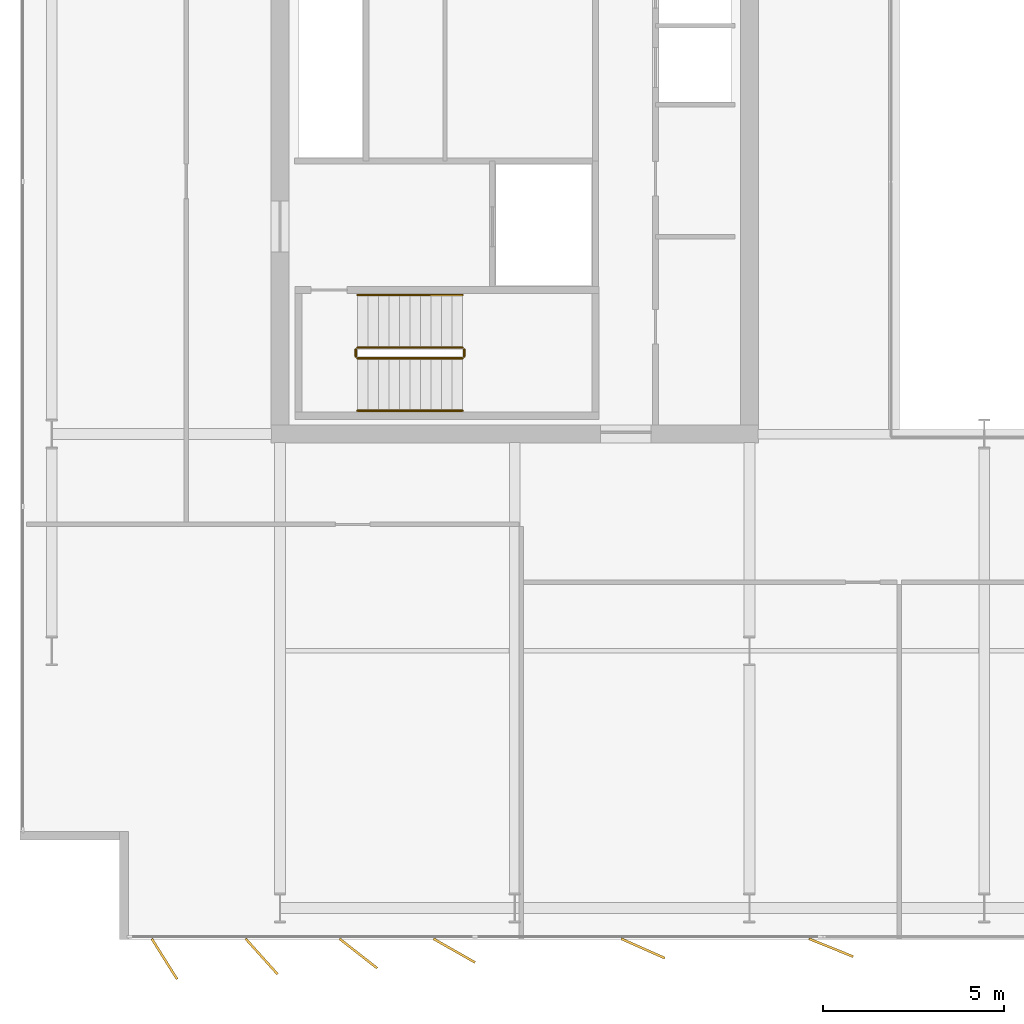
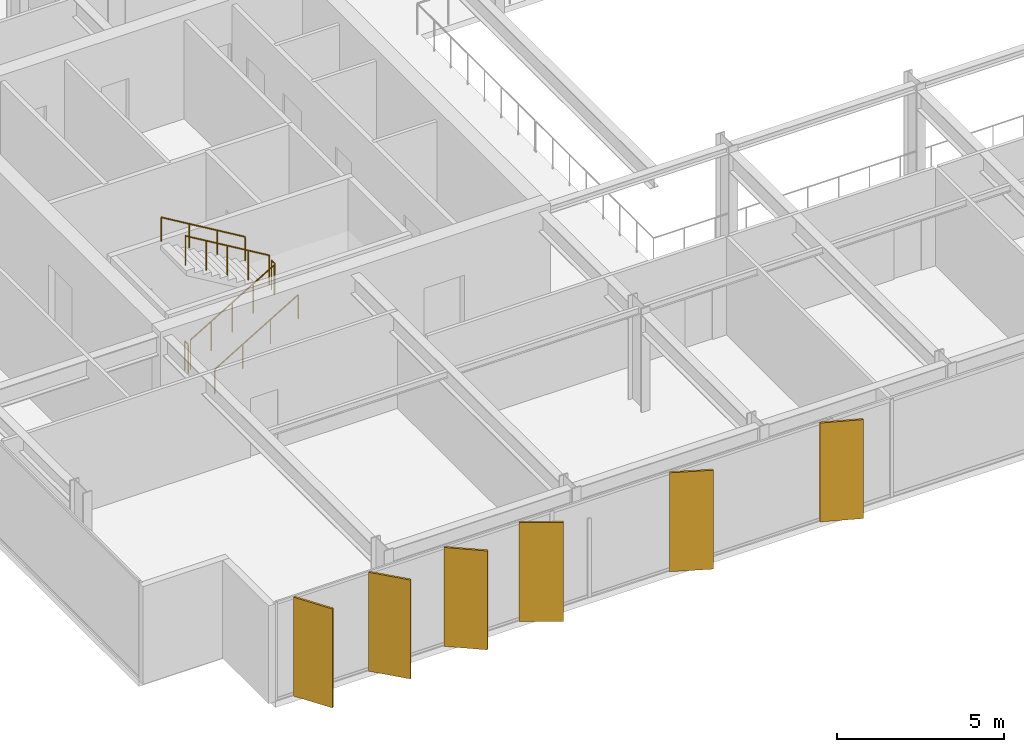
# One storey, part 20 of 23: 6 railings, 6 shading devices.
"""IFC4 building model written with IfcOpenShell, lengths in metres."""

import ifcopenshell
import ifcopenshell.guid

model = None  # the IFC model being written
_history = None  # IfcOwnerHistory: only IFC2X3 demands one
_inside = {}  # id of a spatial element -> (the spatial element, [elements in it])
_under = {}  # id of a project, library or spatial element -> (it, [spatial elements below it])
_declared = {}  # id of a project -> (the project, [libraries it declares])
_typed = {}  # id of a type object -> (the type object, [elements of that type])
_made_of = {}  # id of a material, layer set ... -> (it, [elements and type objects made of it])


def new_model(schema):
    """Start an empty IFC model of exactly this schema.

    Asked for "IFC4X3", IfcOpenShell would pick the latest addendum, in which some entities
    have other attributes; the version numbers below select the first issue.
    IFC2X3 requires an IfcOwnerHistory on every rooted entity: one is made here for all.
    """
    global model, _history
    if schema == "IFC4X3":
        model = ifcopenshell.file(schema_version=(4, 3, 0, 0))
    else:
        model = ifcopenshell.file(schema=schema)
    _inside.clear()
    _under.clear()
    _declared.clear()
    _typed.clear()
    _made_of.clear()
    _history = None
    if model.schema == "IFC2X3":
        org = make("IfcOrganization", Name="unknown")
        user = make(
            "IfcPersonAndOrganization",
            ThePerson=make("IfcPerson", FamilyName="unknown"),
            TheOrganization=org,
        )
        app = make(
            "IfcApplication",
            ApplicationDeveloper=org,
            Version="unknown",
            ApplicationFullName="unknown",
            ApplicationIdentifier="unknown",
        )
        _history = make(
            "IfcOwnerHistory",
            OwningUser=user,
            OwningApplication=app,
            ChangeAction="ADDED",
            CreationDate=0,
        )
    return model


def make(cls, **values):
    """One entity of the class cls with the attributes given. An attribute that is None is left unset."""
    return model.create_entity(
        cls, **{name: value for name, value in values.items() if value is not None}
    )


def rooted(cls, **values):
    """An entity with a GlobalId (a new one), such as an element, a storey or a relation."""
    return make(cls, GlobalId=ifcopenshell.guid.new(), OwnerHistory=_history, **values)


def si_unit(unit_type, name, prefix=None):
    """IfcSIUnit, for example si_unit("LENGTHUNIT", "METRE", prefix="MILLI")."""
    return make("IfcSIUnit", UnitType=unit_type, Prefix=prefix, Name=name)


def assignment(units):
    """IfcUnitAssignment: the units of a project."""
    return None if units is None else make("IfcUnitAssignment", Units=units)


def point(xyz):
    """IfcCartesianPoint."""
    return None if xyz is None else make("IfcCartesianPoint", Coordinates=xyz)


def direction(xyz):
    """IfcDirection."""
    return None if xyz is None else make("IfcDirection", DirectionRatios=xyz)


def frame(location, z_axis=None, x_axis=None):
    """IfcAxis2Placement3D, a coordinate frame: its origin and axes. An axis left out is left unset."""
    return make(
        "IfcAxis2Placement3D",
        Location=point(location),
        Axis=direction(z_axis),
        RefDirection=direction(x_axis),
    )


def frame_2d(location, x_axis=None):
    """IfcAxis2Placement2D, a coordinate frame in the plane: its origin and x axis."""
    return make(
        "IfcAxis2Placement2D", Location=point(location), RefDirection=direction(x_axis)
    )


def origin():
    """The frame at (0, 0, 0) with its axes left unset."""
    return frame((0.0, 0.0, 0.0))


def origin_2d():
    """The frame at (0, 0) in the plane with its x axis left unset."""
    return frame_2d((0.0, 0.0))


def place(relative_to, where):
    """IfcLocalPlacement: puts the frame where relative to a parent placement (None: the world)."""
    return make(
        "IfcLocalPlacement", PlacementRelTo=relative_to, RelativePlacement=where
    )


def context(
    kind, dimensions, precision=None, world=None, true_north=None, identifier=None
):
    """IfcGeometricRepresentationContext, for example the 3D "Model" context."""
    return make(
        "IfcGeometricRepresentationContext",
        ContextIdentifier=identifier,
        ContextType=kind,
        CoordinateSpaceDimension=dimensions,
        Precision=precision,
        WorldCoordinateSystem=world,
        TrueNorth=true_north,
    )


def subcontext(parent, identifier, kind, view, scale=None):
    """IfcGeometricRepresentationSubContext, for example "Body" below "Model"."""
    return make(
        "IfcGeometricRepresentationSubContext",
        ContextIdentifier=identifier,
        ContextType=kind,
        ParentContext=parent,
        TargetScale=scale,
        TargetView=view,
    )


def project(units=None, contexts=None):
    """IfcProject with its units and contexts."""
    return rooted(
        "IfcProject",
        Name="project",
        RepresentationContexts=contexts,
        UnitsInContext=assignment(units),
    )


def spatial(cls, under=None, at=None, **own):
    """A site, building, storey or space (cls), placed at a placement, below another one or the project."""
    s = rooted(cls, ObjectPlacement=at, **own)
    if under is not None:
        _under.setdefault(under.id(), (under, []))[1].append(s)
    return s


def profile(cls, at=None, kind="AREA", **sizes):
    """A parametric profile (cls). Its sizes go by their IFC names, for example OverallWidth=200.0."""
    return make(cls, ProfileType=kind, Position=at, **sizes)


def rectangle(**sizes):
    """IfcRectangleProfileDef."""
    return profile("IfcRectangleProfileDef", **sizes)


def circle(**sizes):
    """IfcCircleProfileDef."""
    return profile("IfcCircleProfileDef", **sizes)


def extrude(swept, where, along, depth):
    """IfcExtrudedAreaSolid: the profile swept, set in the frame where, extruded along a direction by depth."""
    return make(
        "IfcExtrudedAreaSolid",
        SweptArea=swept,
        Position=where,
        ExtrudedDirection=direction(along),
        Depth=depth,
    )


def shape(context_of_items, identifier, shape_type, items):
    """IfcShapeRepresentation: the items that make up one representation, for example the "Body"."""
    return make(
        "IfcShapeRepresentation",
        ContextOfItems=context_of_items,
        RepresentationIdentifier=identifier,
        RepresentationType=shape_type,
        Items=items,
    )


def material(Name=None, Category=None):
    """IfcMaterial."""
    return make("IfcMaterial", Name=Name, Category=Category)


def layer(
    of_material, thickness, ventilated=None, Name=None, Category=None, Priority=None
):
    """IfcMaterialLayer: one layer of a wall or slab, of a material (None: an air gap)."""
    return make(
        "IfcMaterialLayer",
        Material=of_material,
        LayerThickness=thickness,
        IsVentilated=ventilated,
        Name=Name,
        Category=Category,
        Priority=Priority,
    )


def layer_set(layers, Name=None):
    """IfcMaterialLayerSet."""
    return make("IfcMaterialLayerSet", MaterialLayers=layers, LayerSetName=Name)


def made_of(thing, what):
    """Note that an element or type object is made of a material, layer set ...; save() writes the relation."""
    if what is not None:
        _made_of.setdefault(what.id(), (what, []))[1].append(thing)
    return thing


def type_object(cls, material=None, **own):
    """A type object (cls), such as IfcWallType, which elements share."""
    return made_of(rooted(cls, **own), material)


def element(
    cls,
    number,
    at=None,
    inside=None,
    cuts=None,
    type_object=None,
    material=None,
    context=None,
    identifier="Body",
    shape_type=None,
    held_by="IfcProductDefinitionShape",
    body=None,
    shapes=None,
    **own,
):
    """One element of the class cls, such as IfcWall. Its Tag is "e" and its number.

    at: its placement. inside: the storey or other place that contains it. cuts: it is an
    opening in that element (IfcRelVoidsElement). A single representation is given by context,
    identifier, shape_type and body (its items); several are given by shapes. held_by: the class
    of the entity that holds the representations. save() writes the other relations.
    """
    e = rooted(cls, Tag="e%d" % number, ObjectPlacement=at, **own)
    if body is not None:
        shapes = [shape(context, identifier, shape_type, body)]
    if shapes is not None:
        e.Representation = make(held_by, Representations=shapes)
    if inside is not None:
        _inside.setdefault(inside.id(), (inside, []))[1].append(e)
    if cuts is not None:
        rooted(
            "IfcRelVoidsElement", RelatingBuildingElement=cuts, RelatedOpeningElement=e
        )
    if type_object is not None:
        _typed.setdefault(type_object.id(), (type_object, []))[1].append(e)
    return made_of(e, material)


def aggregate(whole, parts):
    """IfcRelAggregates: a whole, such as a stair, and the parts it consists of."""
    return rooted("IfcRelAggregates", RelatingObject=whole, RelatedObjects=parts)


def save(model, path):
    """Write the relations noted so far, then the file.

    IfcRelAggregates (storeys below a building ...), IfcRelContainedInSpatialStructure (elements
    in a storey), IfcRelDefinesByType, IfcRelAssociatesMaterial and IfcRelDeclares: one each for
    every whole, place, type object, material and project.
    """
    for whole, parts in _under.values():
        aggregate(whole, parts)
    for where, things in _inside.values():
        rooted(
            "IfcRelContainedInSpatialStructure",
            RelatedElements=things,
            RelatingStructure=where,
        )
    for kind, things in _typed.values():
        rooted("IfcRelDefinesByType", RelatedObjects=things, RelatingType=kind)
    for what, things in _made_of.values():
        rooted("IfcRelAssociatesMaterial", RelatedObjects=things, RelatingMaterial=what)
    for by, libraries in _declared.values():
        rooted("IfcRelDeclares", RelatingContext=by, RelatedDefinitions=libraries)
    model.write(path)


model = new_model("IFC4")

# Units and contexts
model_context = context("Model", 3, precision=1e-05, world=origin(), true_north=direction((0.0, 1.0)))
body_context = subcontext(model_context, "Body", "Model", "MODEL_VIEW")
ifc_project = project(units=[si_unit("LENGTHUNIT", "METRE"), si_unit("AREAUNIT", "SQUARE_METRE"), si_unit("VOLUMEUNIT", "CUBIC_METRE"), si_unit("PLANEANGLEUNIT", "RADIAN"), si_unit("MASSUNIT", "GRAM", prefix="KILO")], contexts=[model_context])

# Site, building, storey
site_placement = place(None, origin())
site = spatial("IfcSite", under=ifc_project, at=site_placement, CompositionType="ELEMENT")
building_placement = place(site_placement, origin())
building = spatial("IfcBuilding", under=site, at=building_placement, Name="Putna Gate Headquarters", CompositionType="ELEMENT")
storey_placement = place(building_placement, frame((0.0, 0.0, 206.199951171875)))
storey = spatial("IfcBuildingStorey", under=building, at=storey_placement, Name="L51", CompositionType="ELEMENT", Elevation=206.199951171875)

# Railings
ifc_material_1 = material(Name="Powder-coated steel stair guardrail", Category="steel")
railing_type_1 = type_object("IfcRailingType", Name="RAIL-STAIR-GUARD-1100", PredefinedType="GUARDRAIL", material=ifc_material_1)
railing_1_placement = place(storey_placement, frame((15.14990234375, 21.10009765625, 0.1728515625)))
element("IfcRailing", 1, at=railing_1_placement, inside=storey, type_object=railing_type_1, Name="L51 ST1 stair guard 1", PredefinedType="GUARDRAIL", context=body_context, shape_type="SweptSolid", body=[
    extrude(circle(Radius=0.02392578125, at=origin_2d()), frame((0.0, 0.0, 1.076171875), z_axis=(0.859160404282, 0.0, 0.51170636083), x_axis=(0.0, 1.0, 0.0)), (0.0, 0.0, 1.0), 3.37548828125),
    extrude(circle(Radius=0.02099609375, at=origin_2d()), origin(), (0.0, 0.0, 1.0), 1.052001953125),
    extrude(circle(Radius=0.02099609375, at=origin_2d()), frame((0.72509765625, 0.0, 0.431884765625)), (0.0, 0.0, 1.0), 1.052001953125),
    extrude(circle(Radius=0.02099609375, at=origin_2d()), frame((1.4501953125, 0.0, 0.86376953125)), (0.0, 0.0, 1.0), 1.052001953125),
    extrude(circle(Radius=0.02099609375, at=origin_2d()), frame((2.175048828125, 0.0, 1.29541015625)), (0.0, 0.0, 1.0), 1.052001953125),
    extrude(circle(Radius=0.02099609375, at=origin_2d()), frame((2.900146484375, 0.0, 1.727294921875)), (0.0, 0.0, 1.0), 1.052001953125),
])
railing_2_placement = place(storey_placement, frame((18.10009765625, 21.14990234375, 1.900146484375)))
element("IfcRailing", 2, at=railing_2_placement, inside=storey, type_object=railing_type_1, Name="L51 ST1 stair guard 2", PredefinedType="GUARDRAIL", context=body_context, shape_type="SweptSolid", body=[
    extrude(circle(Radius=0.02392578125, at=origin_2d()), frame((0.0, 0.0, 1.076171875), z_axis=(0.0, 1.0, 0.0), x_axis=(-1.0, 0.0, 0.0)), (0.0, 0.0, 1.0), 0.2001953125),
    extrude(circle(Radius=0.02099609375, at=origin_2d()), origin(), (0.0, 0.0, 1.0), 1.052001953125),
    extrude(circle(Radius=0.02099609375, at=origin_2d()), frame((0.0, 0.2001953125, 0.0)), (0.0, 0.0, 1.0), 1.052001953125),
])
railing_3_placement = place(storey_placement, frame((18.050048828125, 21.39990234375, 2.07275390625)))
element("IfcRailing", 3, at=railing_3_placement, inside=storey, type_object=railing_type_1, Name="L51 ST1 stair guard 3", PredefinedType="GUARDRAIL", context=body_context, shape_type="SweptSolid", body=[
    extrude(circle(Radius=0.02392578125, at=origin_2d()), frame((0.0, 0.0, 1.076171875), z_axis=(-0.859160404282, 0.0, 0.51170636083), x_axis=(0.0, -1.0, 0.0)), (0.0, 0.0, 1.0), 3.37548828125),
    extrude(circle(Radius=0.02099609375, at=origin_2d()), origin(), (0.0, 0.0, 1.0), 1.052001953125),
    extrude(circle(Radius=0.02099609375, at=origin_2d()), frame((-0.72509765625, 0.0, 0.431884765625)), (0.0, 0.0, 1.0), 1.052001953125),
    extrude(circle(Radius=0.02099609375, at=origin_2d()), frame((-1.4501953125, 0.0, 0.86376953125)), (0.0, 0.0, 1.0), 1.052001953125),
    extrude(circle(Radius=0.02099609375, at=origin_2d()), frame((-2.175048828125, 0.0, 1.29541015625)), (0.0, 0.0, 1.0), 1.052001953125),
    extrude(circle(Radius=0.02099609375, at=origin_2d()), frame((-2.900146484375, 0.0, 1.727294921875)), (0.0, 0.0, 1.0), 1.052001953125),
])
railing_4_placement = place(storey_placement, frame((15.10009765625, 21.14990234375, 0.0)))
element("IfcRailing", 4, at=railing_4_placement, inside=storey, type_object=railing_type_1, Name="L51 ST1 stair guard 4", PredefinedType="GUARDRAIL", context=body_context, shape_type="SweptSolid", body=[
    extrude(circle(Radius=0.02392578125, at=origin_2d()), frame((0.0, 0.0, 1.076171875), z_axis=(0.0, 1.0, 0.0), x_axis=(-1.0, 0.0, 0.0)), (0.0, 0.0, 1.0), 0.2001953125),
    extrude(circle(Radius=0.02099609375, at=origin_2d()), origin(), (0.0, 0.0, 1.0), 1.052001953125),
    extrude(circle(Radius=0.02099609375, at=origin_2d()), frame((0.0, 0.2001953125, 0.0)), (0.0, 0.0, 1.0), 1.052001953125),
])
ifc_material_2 = material(Name="Brushed stainless steel handrail", Category="steel")
railing_type_2 = type_object("IfcRailingType", Name="RAIL-STAIR-HAND-900", PredefinedType="HANDRAIL", material=ifc_material_2)
railing_5_placement = place(storey_placement, frame((15.14990234375, 19.64990234375, 0.1728515625)))
element("IfcRailing", 5, at=railing_5_placement, inside=storey, type_object=railing_type_2, Name="L51 ST1 stair handrail 1", PredefinedType="HANDRAIL", context=body_context, shape_type="SweptSolid", body=[
    extrude(circle(Radius=0.02392578125, at=origin_2d()), frame((0.0, 0.0, 0.8759765625), z_axis=(0.859160404282, 0.0, 0.51170636083), x_axis=(0.0, 1.0, 0.0)), (0.0, 0.0, 1.0), 3.37548828125),
    extrude(circle(Radius=0.02099609375, at=origin_2d()), origin(), (0.0, 0.0, 1.0), 0.851806640625),
    extrude(circle(Radius=0.02099609375, at=origin_2d()), frame((0.966796875, 0.0, 0.57568359375)), (0.0, 0.0, 1.0), 0.851806640625),
    extrude(circle(Radius=0.02099609375, at=origin_2d()), frame((1.933349609375, 0.0, 1.151611328125)), (0.0, 0.0, 1.0), 0.851806640625),
    extrude(circle(Radius=0.02099609375, at=origin_2d()), frame((2.900146484375, 0.0, 1.727294921875)), (0.0, 0.0, 1.0), 0.851806640625),
])
railing_6_placement = place(storey_placement, frame((18.050048828125, 22.85009765625, 2.07275390625)))
element("IfcRailing", 6, at=railing_6_placement, inside=storey, type_object=railing_type_2, Name="L51 ST1 stair handrail 2", PredefinedType="HANDRAIL", context=body_context, shape_type="SweptSolid", body=[
    extrude(circle(Radius=0.02392578125, at=origin_2d()), frame((0.0, 0.0, 0.8759765625), z_axis=(-0.859160404282, 0.0, 0.51170636083), x_axis=(0.0, -1.0, 0.0)), (0.0, 0.0, 1.0), 3.37548828125),
    extrude(circle(Radius=0.02099609375, at=origin_2d()), origin(), (0.0, 0.0, 1.0), 0.851806640625),
    extrude(circle(Radius=0.02099609375, at=origin_2d()), frame((-0.966796875, 0.0, 0.57568359375)), (0.0, 0.0, 1.0), 0.851806640625),
    extrude(circle(Radius=0.02099609375, at=origin_2d()), frame((-1.933349609375, 0.0, 1.151611328125)), (0.0, 0.0, 1.0), 0.851806640625),
    extrude(circle(Radius=0.02099609375, at=origin_2d()), frame((-2.900146484375, 0.0, 1.727294921875)), (0.0, 0.0, 1.0), 0.851806640625),
])

# Shading devices
ifc_material_3 = material(Name="Anodised architectural bronze aluminium fin", Category="aluminium")
ifc_layer = layer(ifc_material_3, 0.06494140625)
ifc_layer_set = layer_set([ifc_layer], Name="Anodised architectural bronze aluminium fin")
shading_device_type = type_object("IfcShadingDeviceType", Name="SHADE-BRONZE-FIN-1320", PredefinedType="USERDEFINED", material=ifc_layer_set)
for number, where, z_axis, x_axis, name in (
    (7, (9.80029296875, 4.465576171875, -0.02001953125), (0.0, 0.0, 1.0), (0.530659123936, -0.847585331506, 0.0), "L51 Bronze Vertical Shading Fin S1"),
    (8, (12.49169921875, 4.534423828125, -0.02001953125), (0.0, 0.0, 1.0), (0.669130606359, -0.743144825477, 0.0), "L51 Bronze Vertical Shading Fin S2"),
    (9, (15.169677734375, 4.6181640625, -0.02001953125), (0.0, 0.0, 1.0), (0.787473187632, -0.616348909921, 0.0), "L51 Bronze Vertical Shading Fin S3"),
    (10, (17.82373046875, 4.69873046875, -0.02001953125), (0.0, 0.0, 1.0), (0.869322458298, -0.494245347472, 0.0), "L51 Bronze Vertical Shading Fin S4"),
    (11, (23.052978515625, 4.7568359375, -0.02001953125), (0.0, 0.0, 1.0), (0.913687379856, -0.40641773078, 0.0), "L51 Bronze Vertical Shading Fin S5"),
    (12, (28.261962890625, 4.77783203125, -0.02001953125), (0.0, 0.0, 1.0), (0.927183854567, -0.374606593416, 0.0), "L51 Bronze Vertical Shading Fin S6"),
):
    element("IfcShadingDevice", number, at=place(storey_placement, frame(where, z_axis=z_axis, x_axis=x_axis)), inside=storey, type_object=shading_device_type, Name=name, ObjectType="FIN", PredefinedType="USERDEFINED", context=body_context, shape_type="SweptSolid", body=[
        extrude(rectangle(XDim=1.320068359375, YDim=0.06494140625, at=origin_2d()), origin(), (0.0, 0.0, 1.0), 3.6201171875),
    ])

save(model, "model.ifc")
